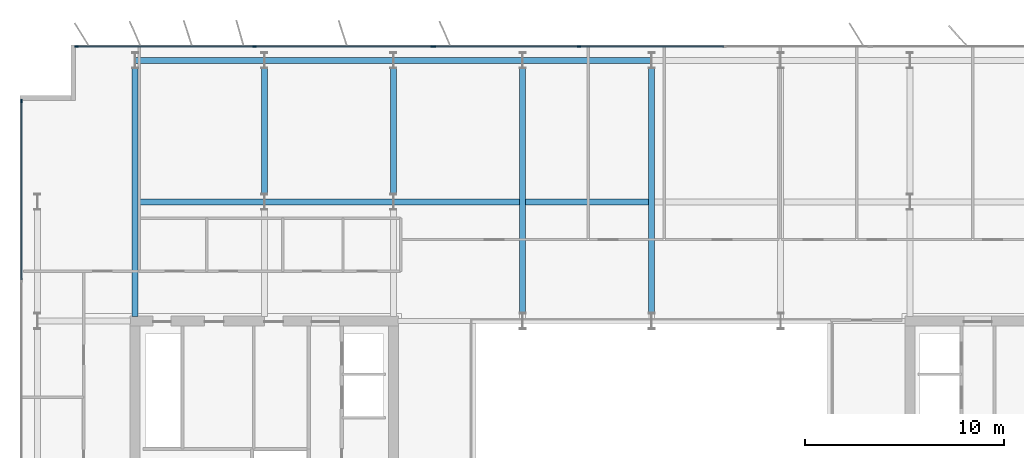
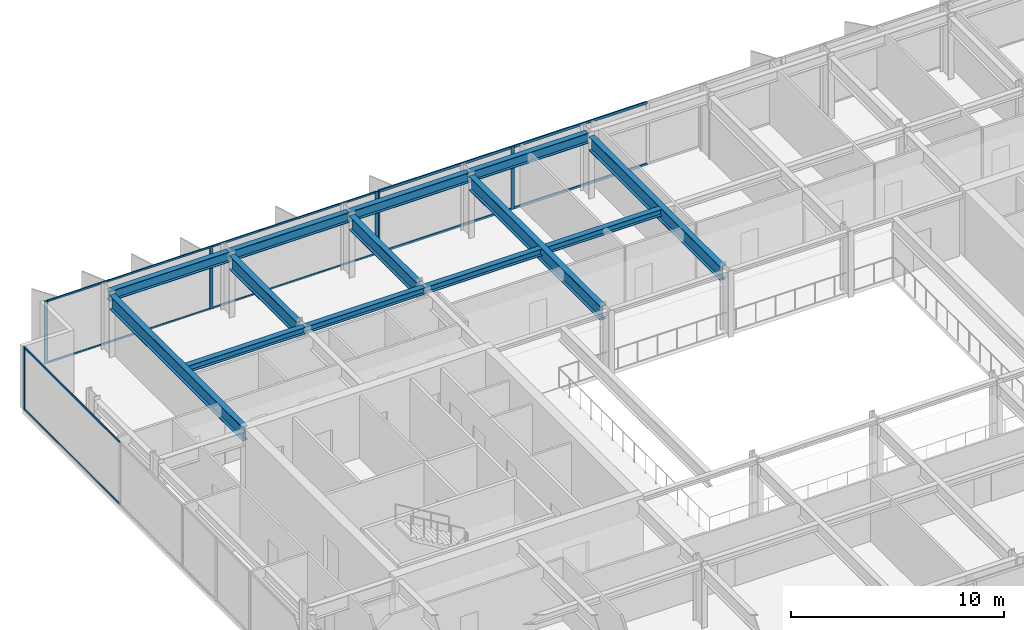
# One storey, part 7 of 19: 16 members, 13 beams, 3 elements without a shape of their own.
"""IFC4 building model written with IfcOpenShell, lengths in metres."""

from ifc_helpers import new_model, si_unit, direction, frame, origin, origin_2d, place, context, subcontext, project, spatial, rectangle, i_section, extrude, material, layer, layer_set, material_profile, profile_set, type_object, element, aggregate, save


model = new_model("IFC4")

# Units and contexts
model_context = context("Model", 3, precision=1e-05, world=origin(), true_north=direction((0.0, 1.0)))
body_context = subcontext(model_context, "Body", "Model", "MODEL_VIEW")
ifc_project = project(units=[si_unit("LENGTHUNIT", "METRE"), si_unit("AREAUNIT", "SQUARE_METRE"), si_unit("VOLUMEUNIT", "CUBIC_METRE"), si_unit("PLANEANGLEUNIT", "RADIAN"), si_unit("MASSUNIT", "GRAM", prefix="KILO")], contexts=[model_context])

# Site, building, storey
site_placement = place(None, origin())
site = spatial("IfcSite", under=ifc_project, at=site_placement, CompositionType="ELEMENT")
building_placement = place(site_placement, origin())
building = spatial("IfcBuilding", under=site, at=building_placement, Name="Putna Gate Headquarters", CompositionType="ELEMENT")
storey_placement = place(building_placement, frame((0.0, 0.0, 255.60009765625)))
storey = spatial("IfcBuildingStorey", under=building, at=storey_placement, Name="L64", CompositionType="ELEMENT", Elevation=255.60009765625)

# Beams
ifc_material_1 = material(Name="Steel S355J2", Category="steel")
ifc_material_profile_1 = material_profile(ifc_material_1, i_section(OverallWidth=0.300048828125, OverallDepth=0.800048828125, WebThickness=0.017578125, FlangeThickness=0.032958984375, at=origin_2d()), Name="Steel S355J2")
ifc_profile_set_1 = profile_set([ifc_material_profile_1], Name="Steel S355J2")
beam_type_1 = type_object("IfcBeamType", Name="BM-GIRD-P-HEB800", PredefinedType="USERDEFINED", material=ifc_profile_set_1)
beam_1_placement = place(storey_placement, frame((13.0, 33.235107421875, 3.18798828125), z_axis=(0.0, 1.0, 0.0), x_axis=(-1.0, 0.0, 0.0)))
element("IfcBeam", 1, at=beam_1_placement, inside=storey, type_object=beam_type_1, Name="L64 North Primary Girder X13", ObjectType="GIRDER", PredefinedType="USERDEFINED", context=body_context, shape_type="SweptSolid", body=[
    extrude(i_section(OverallWidth=0.300048828125, OverallDepth=0.800048828125, WebThickness=0.017578125, FlangeThickness=0.032958984375, at=origin_2d()), origin(), (0.0, 0.0, 1.0), 12.489990234375),
])
for number, where, z_axis, x_axis, name in (
    (2, (19.5, 39.39501953125, 3.18798828125), (0.0, 1.0, 0.0), (-1.0, 0.0, 0.0), "L64 North Primary Girder X19-2"),
    (3, (26.0, 39.39501953125, 3.18798828125), (0.0, 1.0, 0.0), (-1.0, 0.0, 0.0), "L64 North Primary Girder X26-2"),
):
    element("IfcBeam", number, at=place(storey_placement, frame(where, z_axis=z_axis, x_axis=x_axis)), inside=storey, type_object=beam_type_1, Name=name, ObjectType="GIRDER", PredefinedType="USERDEFINED", context=body_context, shape_type="SweptSolid", body=[
        extrude(i_section(OverallWidth=0.300048828125, OverallDepth=0.800048828125, WebThickness=0.017578125, FlangeThickness=0.032958984375, at=origin_2d()), origin(), (0.0, 0.0, 1.0), 6.330078125),
    ])
for number, where, z_axis, x_axis, name in (
    (4, (32.5, 33.39501953125, 3.18798828125), (0.0, 1.0, 0.0), (-1.0, 0.0, 0.0), "L64 North Primary Girder X32"),
    (5, (39.0, 33.39501953125, 3.18798828125), (0.0, 1.0, 0.0), (-1.0, 0.0, 0.0), "L64 North Primary Girder X39"),
):
    element("IfcBeam", number, at=place(storey_placement, frame(where, z_axis=z_axis, x_axis=x_axis)), inside=storey, type_object=beam_type_1, Name=name, ObjectType="GIRDER", PredefinedType="USERDEFINED", context=body_context, shape_type="SweptSolid", body=[
        extrude(i_section(OverallWidth=0.300048828125, OverallDepth=0.800048828125, WebThickness=0.017578125, FlangeThickness=0.032958984375, at=origin_2d()), origin(), (0.0, 0.0, 1.0), 12.330078125),
    ])
ifc_material_profile_2 = material_profile(ifc_material_1, i_section(OverallWidth=0.300048828125, OverallDepth=0.389892578125, WebThickness=0.010986328125, FlangeThickness=0.01904296875, at=origin_2d()), Name="Steel S355J2")
ifc_profile_set_2 = profile_set([ifc_material_profile_2], Name="Steel S355J2")
beam_type_2 = type_object("IfcBeamType", Name="BM-SEC-Z5-HEA400", PredefinedType="BEAM", material=ifc_profile_set_2)
beam_2_placement = place(storey_placement, frame((13.154052734375, 39.0, 3.392822265625), z_axis=(1.0, 0.0, 0.0), x_axis=(0.0, 1.0, 0.0)))
element("IfcBeam", 6, at=beam_2_placement, inside=storey, type_object=beam_type_2, Name="L64 North Secondary Beam 1", PredefinedType="BEAM", context=body_context, shape_type="SweptSolid", body=[
    extrude(i_section(OverallWidth=0.300048828125, OverallDepth=0.389892578125, WebThickness=0.010986328125, FlangeThickness=0.01904296875, at=origin_2d()), origin(), (0.0, 0.0, 1.0), 6.33984375),
])
beam_3_placement = place(storey_placement, frame((19.506103515625, 39.0, 3.392822265625), z_axis=(1.0, 0.0, 0.0), x_axis=(0.0, 1.0, 0.0)))
element("IfcBeam", 7, at=beam_3_placement, inside=storey, type_object=beam_type_2, Name="L64 North Secondary Beam 2", PredefinedType="BEAM", context=body_context, shape_type="SweptSolid", body=[
    extrude(i_section(OverallWidth=0.300048828125, OverallDepth=0.389892578125, WebThickness=0.010986328125, FlangeThickness=0.01904296875, at=origin_2d()), origin(), (0.0, 0.0, 1.0), 6.48779296875),
])
beam_4_placement = place(storey_placement, frame((26.006103515625, 39.0, 3.392822265625), z_axis=(1.0, 0.0, 0.0), x_axis=(0.0, 1.0, 0.0)))
element("IfcBeam", 8, at=beam_4_placement, inside=storey, type_object=beam_type_2, Name="L64 North Secondary Beam 3", PredefinedType="BEAM", context=body_context, shape_type="SweptSolid", body=[
    extrude(i_section(OverallWidth=0.300048828125, OverallDepth=0.389892578125, WebThickness=0.010986328125, FlangeThickness=0.01904296875, at=origin_2d()), origin(), (0.0, 0.0, 1.0), 6.33984375),
])
beam_5_placement = place(storey_placement, frame((32.654052734375, 39.0, 3.392822265625), z_axis=(1.0, 0.0, 0.0), x_axis=(0.0, 1.0, 0.0)))
element("IfcBeam", 9, at=beam_5_placement, inside=storey, type_object=beam_type_2, Name="L64 North Secondary Beam 4", PredefinedType="BEAM", context=body_context, shape_type="SweptSolid", body=[
    extrude(i_section(OverallWidth=0.300048828125, OverallDepth=0.389892578125, WebThickness=0.010986328125, FlangeThickness=0.01904296875, at=origin_2d()), origin(), (0.0, 0.0, 1.0), 6.19189453125),
])
ifc_material_profile_3 = material_profile(ifc_material_1, i_section(OverallWidth=0.300048828125, OverallDepth=0.590087890625, WebThickness=0.012939453125, FlangeThickness=0.02490234375, at=origin_2d()), Name="Steel S355J2")
ifc_profile_set_3 = profile_set([ifc_material_profile_3], Name="Steel S355J2")
beam_type_3 = type_object("IfcBeamType", Name="BM-SPAN-Z4-HEA600", PredefinedType="SPANDREL", material=ifc_profile_set_3)
for number, where, z_axis, x_axis, name in (
    (10, (13.006103515625, 46.1201171875, 3.29296875), (1.0, 0.0, 0.0), (0.0, 1.0, 0.0), "L64 N Perimeter Spandrel 1"),
    (11, (19.506103515625, 46.1201171875, 3.29296875), (1.0, 0.0, 0.0), (0.0, 1.0, 0.0), "L64 N Perimeter Spandrel 2"),
    (12, (26.006103515625, 46.1201171875, 3.29296875), (1.0, 0.0, 0.0), (0.0, 1.0, 0.0), "L64 N Perimeter Spandrel 3"),
    (13, (32.506103515625, 46.1201171875, 3.29296875), (1.0, 0.0, 0.0), (0.0, 1.0, 0.0), "L64 N Perimeter Spandrel 4"),
):
    element("IfcBeam", number, at=place(storey_placement, frame(where, z_axis=z_axis, x_axis=x_axis)), inside=storey, type_object=beam_type_3, Name=name, PredefinedType="SPANDREL", context=body_context, shape_type="SweptSolid", body=[
        extrude(i_section(OverallWidth=0.300048828125, OverallDepth=0.590087890625, WebThickness=0.012939453125, FlangeThickness=0.02490234375, at=origin_2d()), origin(), (0.0, 0.0, 1.0), 6.48779296875),
    ])

# Curtain wall, members
ifc_material_2 = material(Name="Anodised bronze aluminium curtain wall", Category="aluminium")
ifc_layer_1 = layer(ifc_material_2, 0.179931640625)
ifc_layer_set_1 = layer_set([ifc_layer_1], Name="Anodised bronze aluminium curtain wall")
curtain_wall_type_1 = type_object("IfcCurtainWallType", Name="CW-SYS-Z5", PredefinedType="USERDEFINED", material=ifc_layer_set_1)
curtain_wall_1_placement = place(storey_placement, origin())
curtain_wall_1 = element("IfcCurtainWall", 14, at=curtain_wall_1_placement, inside=storey, type_object=curtain_wall_type_1, Name="L64 North West Curtain Wall", ObjectType="STICK CURTAIN WALL", PredefinedType="USERDEFINED")
ifc_material_3 = material(Name="Anodised bronze aluminium EN AW-6060", Category="aluminium")
ifc_material_profile_4 = material_profile(ifc_material_3, rectangle(XDim=0.070068359375, YDim=0.179931640625, at=origin_2d()), Name="Anodised bronze aluminium EN AW-6060")
ifc_profile_set_4 = profile_set([ifc_material_profile_4], Name="Anodised bronze aluminium EN AW-6060")
member_type_1 = type_object("IfcMemberType", Name="MULL-CWM-5", PredefinedType="MULLION", material=ifc_profile_set_4)
member_1_placement = place(storey_placement, frame((10.034912109375, 46.820068359375, 0.0), z_axis=(0.0, 0.0, 1.0), x_axis=(0.0, 1.0, 0.0)))
member_1 = element("IfcMember", 15, at=member_1_placement, type_object=member_type_1, Name="CWS-5 mullion 1", PredefinedType="MULLION", context=body_context, shape_type="SweptSolid", body=[
    extrude(rectangle(XDim=0.070068359375, YDim=0.179931640625, at=origin_2d()), origin(), (0.0, 0.0, 1.0), 3.587890625),
])
member_2_placement = place(storey_placement, frame((19.0, 46.820068359375, 0.0), z_axis=(0.0, 0.0, 1.0), x_axis=(0.0, 1.0, 0.0)))
member_2 = element("IfcMember", 16, at=member_2_placement, type_object=member_type_1, Name="CWS-5 mullion 2", PredefinedType="MULLION", context=body_context, shape_type="SweptSolid", body=[
    extrude(rectangle(XDim=0.070068359375, YDim=0.179931640625, at=origin_2d()), origin(), (0.0, 0.0, 1.0), 3.587890625),
])
member_3_placement = place(storey_placement, frame((27.965087890625, 46.820068359375, 0.0), z_axis=(0.0, 0.0, 1.0), x_axis=(0.0, 1.0, 0.0)))
member_3 = element("IfcMember", 17, at=member_3_placement, type_object=member_type_1, Name="CWS-5 mullion 3", PredefinedType="MULLION", context=body_context, shape_type="SweptSolid", body=[
    extrude(rectangle(XDim=0.070068359375, YDim=0.179931640625, at=origin_2d()), origin(), (0.0, 0.0, 1.0), 3.587890625),
])

# Curtain wall, member
curtain_wall_2_placement = place(storey_placement, origin())
curtain_wall_2 = element("IfcCurtainWall", 18, at=curtain_wall_2_placement, inside=storey, type_object=curtain_wall_type_1, Name="L64 West Curtain Wall", ObjectType="STICK CURTAIN WALL", PredefinedType="USERDEFINED")
member_4_placement = place(storey_placement, frame((7.280029296875, 44.06494140625, 0.0), z_axis=(0.0, 0.0, 1.0), x_axis=(-1.0, 0.0, 0.0)))
member_4 = element("IfcMember", 19, at=member_4_placement, type_object=member_type_1, Name="CWS-5 mullion 5", PredefinedType="MULLION", context=body_context, shape_type="SweptSolid", body=[
    extrude(rectangle(XDim=0.070068359375, YDim=0.179931640625, at=origin_2d()), origin(), (0.0, 0.0, 1.0), 3.587890625),
])

# Curtain wall, members
ifc_layer_2 = layer(ifc_material_2, 0.179931640625)
ifc_layer_set_2 = layer_set([ifc_layer_2], Name="Anodised bronze aluminium curtain wall")
curtain_wall_type_2 = type_object("IfcCurtainWallType", Name="CW-SYS-ATR", PredefinedType="USERDEFINED", material=ifc_layer_set_2)
curtain_wall_3_placement = place(storey_placement, origin())
curtain_wall_3 = element("IfcCurtainWall", 20, at=curtain_wall_3_placement, inside=storey, type_object=curtain_wall_type_2, Name="L64 North Atrium Clear Glazing", ObjectType="ATRIUM GLAZING", PredefinedType="USERDEFINED")
ifc_material_profile_5 = material_profile(ifc_material_3, rectangle(XDim=0.070068359375, YDim=0.179931640625, at=origin_2d()), Name="Anodised bronze aluminium EN AW-6060")
ifc_profile_set_5 = profile_set([ifc_material_profile_5], Name="Anodised bronze aluminium EN AW-6060")
member_type_2 = type_object("IfcMemberType", Name="MULL-CWM-AT", PredefinedType="MULLION", material=ifc_profile_set_5)
member_5_placement = place(storey_placement, frame((28.034912109375, 46.820068359375, 0.0), z_axis=(0.0, 0.0, 1.0), x_axis=(0.0, 1.0, 0.0)))
member_5 = element("IfcMember", 21, at=member_5_placement, type_object=member_type_2, Name="CWS-AT mullion 1", PredefinedType="MULLION", context=body_context, shape_type="SweptSolid", body=[
    extrude(rectangle(XDim=0.070068359375, YDim=0.179931640625, at=origin_2d()), origin(), (0.0, 0.0, 1.0), 3.587890625),
])
member_6_placement = place(storey_placement, frame((35.333251953125, 46.820068359375, 0.0), z_axis=(0.0, 0.0, 1.0), x_axis=(0.0, 1.0, 0.0)))
member_6 = element("IfcMember", 22, at=member_6_placement, type_object=member_type_2, Name="CWS-AT mullion 2", PredefinedType="MULLION", context=body_context, shape_type="SweptSolid", body=[
    extrude(rectangle(XDim=0.070068359375, YDim=0.179931640625, at=origin_2d()), origin(), (0.0, 0.0, 1.0), 3.587890625),
])

# Member
ifc_material_profile_6 = material_profile(ifc_material_3, rectangle(XDim=0.06005859375, YDim=0.10009765625, at=origin_2d()), Name="Anodised bronze aluminium EN AW-6060")
ifc_profile_set_6 = profile_set([ifc_material_profile_6], Name="Anodised bronze aluminium EN AW-6060")
member_type_3 = type_object("IfcMemberType", Name="TRAN-CWT-5", PredefinedType="USERDEFINED", material=ifc_profile_set_6)
member_7_placement = place(storey_placement, frame((10.070068359375, 46.820068359375, 0.02978515625), z_axis=(1.0, 0.0, 0.0), x_axis=(0.0, 1.0, 0.0)))
member_7 = element("IfcMember", 23, at=member_7_placement, type_object=member_type_3, Name="CWS-5 transom 1.1", ObjectType="TRANSOM", PredefinedType="USERDEFINED", context=body_context, shape_type="SweptSolid", body=[
    extrude(rectangle(XDim=0.06005859375, YDim=0.10009765625, at=origin_2d()), origin(), (0.0, 0.0, 1.0), 8.89501953125),
])

member_8_placement = place(storey_placement, frame((10.070068359375, 46.820068359375, 3.557861328125), z_axis=(1.0, 0.0, 0.0), x_axis=(0.0, 1.0, 0.0)))
member_8 = element("IfcMember", 24, at=member_8_placement, type_object=member_type_3, Name="CWS-5 transom 1.2", ObjectType="TRANSOM", PredefinedType="USERDEFINED", context=body_context, shape_type="SweptSolid", body=[
    extrude(rectangle(XDim=0.06005859375, YDim=0.10009765625, at=origin_2d()), origin(), (0.0, 0.0, 1.0), 8.89501953125),
])

member_9_placement = place(storey_placement, frame((19.034912109375, 46.820068359375, 0.02978515625), z_axis=(1.0, 0.0, 0.0), x_axis=(0.0, 1.0, 0.0)))
member_9 = element("IfcMember", 25, at=member_9_placement, type_object=member_type_3, Name="CWS-5 transom 2.1", ObjectType="TRANSOM", PredefinedType="USERDEFINED", context=body_context, shape_type="SweptSolid", body=[
    extrude(rectangle(XDim=0.06005859375, YDim=0.10009765625, at=origin_2d()), origin(), (0.0, 0.0, 1.0), 8.89501953125),
])

member_10_placement = place(storey_placement, frame((19.034912109375, 46.820068359375, 3.557861328125), z_axis=(1.0, 0.0, 0.0), x_axis=(0.0, 1.0, 0.0)))
member_10 = element("IfcMember", 26, at=member_10_placement, type_object=member_type_3, Name="CWS-5 transom 2.2", ObjectType="TRANSOM", PredefinedType="USERDEFINED", context=body_context, shape_type="SweptSolid", body=[
    extrude(rectangle(XDim=0.06005859375, YDim=0.10009765625, at=origin_2d()), origin(), (0.0, 0.0, 1.0), 8.89501953125),
])

aggregate(curtain_wall_1, [member_1, member_2, member_3, member_7, member_8, member_9, member_10])

member_11_placement = place(storey_placement, frame((7.280029296875, 35.0849609375, 0.02978515625), z_axis=(0.0, 1.0, 0.0), x_axis=(-1.0, 0.0, 0.0)))
member_11 = element("IfcMember", 27, at=member_11_placement, type_object=member_type_3, Name="CWS-5 transom 4.1", ObjectType="TRANSOM", PredefinedType="USERDEFINED", context=body_context, shape_type="SweptSolid", body=[
    extrude(rectangle(XDim=0.06005859375, YDim=0.10009765625, at=origin_2d()), origin(), (0.0, 0.0, 1.0), 8.945068359375),
])

member_12_placement = place(storey_placement, frame((7.280029296875, 35.0849609375, 3.557861328125), z_axis=(0.0, 1.0, 0.0), x_axis=(-1.0, 0.0, 0.0)))
member_12 = element("IfcMember", 28, at=member_12_placement, type_object=member_type_3, Name="CWS-5 transom 4.2", ObjectType="TRANSOM", PredefinedType="USERDEFINED", context=body_context, shape_type="SweptSolid", body=[
    extrude(rectangle(XDim=0.06005859375, YDim=0.10009765625, at=origin_2d()), origin(), (0.0, 0.0, 1.0), 8.945068359375),
])

aggregate(curtain_wall_2, [member_4, member_11, member_12])

ifc_material_profile_7 = material_profile(ifc_material_3, rectangle(XDim=0.070068359375, YDim=0.139892578125, at=origin_2d()), Name="Anodised bronze aluminium EN AW-6060")
ifc_profile_set_7 = profile_set([ifc_material_profile_7], Name="Anodised bronze aluminium EN AW-6060")
member_type_4 = type_object("IfcMemberType", Name="TRAN-CWT-AT", PredefinedType="USERDEFINED", material=ifc_profile_set_7)
member_13_placement = place(storey_placement, frame((28.070068359375, 46.820068359375, 0.034912109375), z_axis=(1.0, 0.0, 0.0), x_axis=(0.0, 1.0, 0.0)))
member_13 = element("IfcMember", 29, at=member_13_placement, type_object=member_type_4, Name="CWS-AT transom 1.1", ObjectType="TRANSOM", PredefinedType="USERDEFINED", context=body_context, shape_type="SweptSolid", body=[
    extrude(rectangle(XDim=0.070068359375, YDim=0.139892578125, at=origin_2d()), origin(), (0.0, 0.0, 1.0), 7.228271484375),
])

member_14_placement = place(storey_placement, frame((28.070068359375, 46.820068359375, 3.552978515625), z_axis=(1.0, 0.0, 0.0), x_axis=(0.0, 1.0, 0.0)))
member_14 = element("IfcMember", 30, at=member_14_placement, type_object=member_type_4, Name="CWS-AT transom 1.2", ObjectType="TRANSOM", PredefinedType="USERDEFINED", context=body_context, shape_type="SweptSolid", body=[
    extrude(rectangle(XDim=0.070068359375, YDim=0.139892578125, at=origin_2d()), origin(), (0.0, 0.0, 1.0), 7.228271484375),
])

member_15_placement = place(storey_placement, frame((35.368408203125, 46.820068359375, 0.034912109375), z_axis=(1.0, 0.0, 0.0), x_axis=(0.0, 1.0, 0.0)))
member_15 = element("IfcMember", 31, at=member_15_placement, type_object=member_type_4, Name="CWS-AT transom 2.1", ObjectType="TRANSOM", PredefinedType="USERDEFINED", context=body_context, shape_type="SweptSolid", body=[
    extrude(rectangle(XDim=0.070068359375, YDim=0.139892578125, at=origin_2d()), origin(), (0.0, 0.0, 1.0), 7.26318359375),
])

member_16_placement = place(storey_placement, frame((35.368408203125, 46.820068359375, 3.552978515625), z_axis=(1.0, 0.0, 0.0), x_axis=(0.0, 1.0, 0.0)))
member_16 = element("IfcMember", 32, at=member_16_placement, type_object=member_type_4, Name="CWS-AT transom 2.2", ObjectType="TRANSOM", PredefinedType="USERDEFINED", context=body_context, shape_type="SweptSolid", body=[
    extrude(rectangle(XDim=0.070068359375, YDim=0.139892578125, at=origin_2d()), origin(), (0.0, 0.0, 1.0), 7.26318359375),
])

aggregate(curtain_wall_3, [member_5, member_6, member_13, member_14, member_15, member_16])

save(model, "model.ifc")
